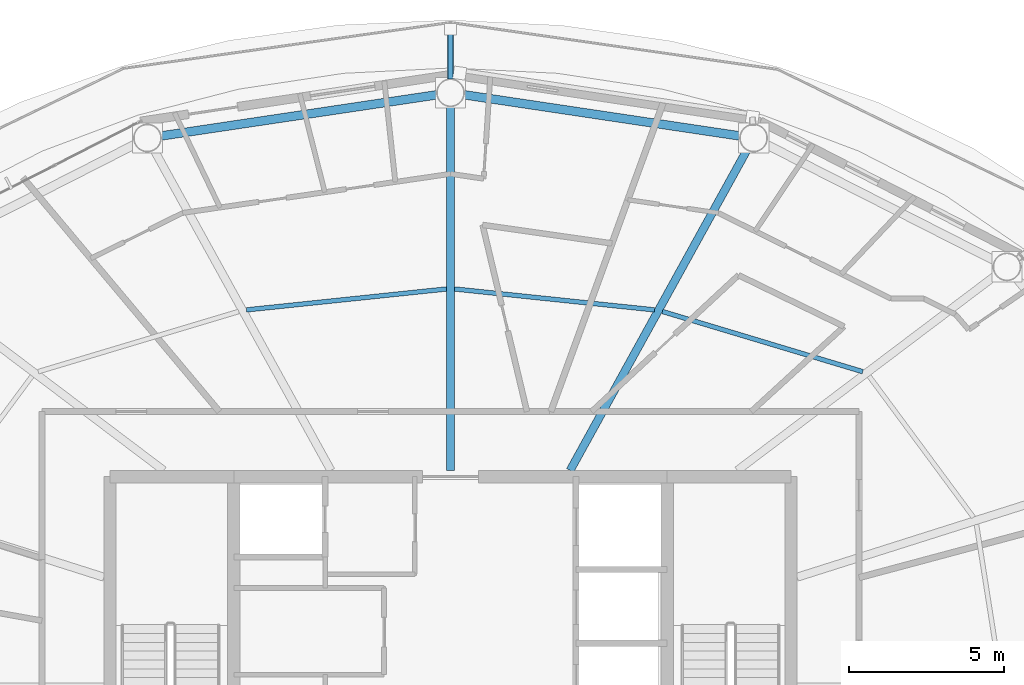
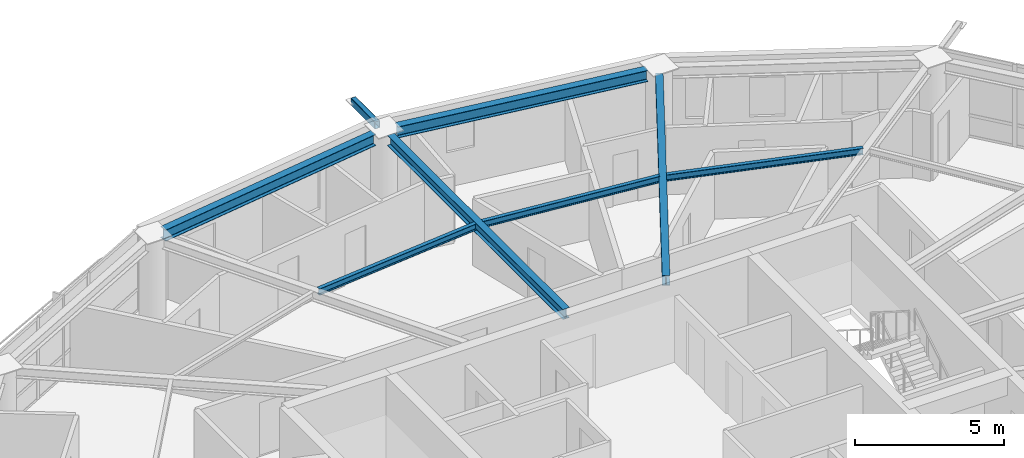
# One storey, part 10 of 23: 7 beams, 1 member.
"""IFC4 building model written with IfcOpenShell, lengths in metres."""

from ifc_helpers import new_model, si_unit, direction, frame, origin, origin_2d, place, context, subcontext, project, spatial, hollow_rectangle, i_section, extrude, material, material_profile, profile_set, type_object, element, save


model = new_model("IFC4")

# Units and contexts
model_context = context("Model", 3, precision=1e-05, world=origin(), true_north=direction((0.0, 1.0)))
body_context = subcontext(model_context, "Body", "Model", "MODEL_VIEW")
ifc_project = project(units=[si_unit("LENGTHUNIT", "METRE"), si_unit("AREAUNIT", "SQUARE_METRE"), si_unit("VOLUMEUNIT", "CUBIC_METRE"), si_unit("PLANEANGLEUNIT", "RADIAN"), si_unit("MASSUNIT", "GRAM", prefix="KILO")], contexts=[model_context])

# Site, building, storey
site_placement = place(None, origin())
site = spatial("IfcSite", under=ifc_project, at=site_placement, CompositionType="ELEMENT")
building_placement = place(site_placement, origin())
building = spatial("IfcBuilding", under=site, at=building_placement, Name="Sarneth Arch Tower", CompositionType="ELEMENT")
storey_placement = place(building_placement, frame((0.0, 0.0, 262.199951171875)))
storey = spatial("IfcBuildingStorey", under=building, at=storey_placement, Name="L67", CompositionType="ELEMENT", Elevation=262.199951171875)

# Beams
ifc_material_1 = material(Name="Steel S355", Category="steel")
ifc_material_profile_1 = material_profile(ifc_material_1, i_section(OverallWidth=0.14794921875, OverallDepth=0.26611328125, WebThickness=0.007568359375, FlangeThickness=0.012939453125, FilletRadius=0.012939453125, at=origin_2d()), Name="W250x44.8")
ifc_profile_set_1 = profile_set([ifc_material_profile_1], Name="Steel S355")
beam_type_1 = type_object("IfcBeamType", Name="BM-JOIST-250", PredefinedType="JOIST", material=ifc_profile_set_1)
beam_1_placement = place(storey_placement, frame((61.317626953125, 52.18994140625, 3.237060546875), z_axis=(-0.957726833296, 0.287679183787, 0.0), x_axis=(-0.287679183787, -0.957726833296, 0.0)))
element("IfcBeam", 1, at=beam_1_placement, inside=storey, type_object=beam_type_1, Name="L67 Secondary floor joist 03", PredefinedType="JOIST", context=body_context, shape_type="SweptSolid", body=[
    extrude(i_section(OverallWidth=0.14794921875, OverallDepth=0.26611328125, WebThickness=0.007568359375, FlangeThickness=0.012939453125, FilletRadius=0.012939453125, at=origin_2d()), origin(), (0.0, 0.0, 1.0), 6.760498046875),
])
for number, where, z_axis, x_axis, name in (
    (2, (54.589111328125, 54.185791015625, 3.237060546875), (-0.994572393972, 0.104046879569, 0.0), (-0.104046879569, -0.994572393972, 0.0), "L67 Secondary floor joist 04"),
    (3, (47.87060546875, 54.861572265625, 3.237060546875), (-0.994572393972, -0.104046879569, 0.0), (0.104046879569, -0.994572393972, 0.0), "L67 Secondary floor joist 05"),
):
    element("IfcBeam", number, at=place(storey_placement, frame(where, z_axis=z_axis, x_axis=x_axis)), inside=storey, type_object=beam_type_1, Name=name, PredefinedType="JOIST", context=body_context, shape_type="SweptSolid", body=[
        extrude(i_section(OverallWidth=0.14794921875, OverallDepth=0.26611328125, WebThickness=0.007568359375, FlangeThickness=0.012939453125, FilletRadius=0.012939453125, at=origin_2d()), origin(), (0.0, 0.0, 1.0), 6.494873046875),
    ])
ifc_material_2 = material(Name="Steel S355", Category="steel")
ifc_material_profile_2 = material_profile(ifc_material_2, i_section(OverallWidth=0.260009765625, OverallDepth=0.4150390625, WebThickness=0.010009765625, FlangeThickness=0.016845703125, FilletRadius=0.01611328125, at=origin_2d()), Name="W410x100")
ifc_profile_set_2 = profile_set([ifc_material_profile_2], Name="Steel S355")
beam_type_2 = type_object("IfcBeamType", Name="BM-RAD-410A", PredefinedType="BEAM", material=ifc_profile_set_2)
beam_2_placement = place(storey_placement, frame((51.86376953125, 49.0, 3.16259765625), z_axis=(0.483218265038, 0.875499919094, 0.0), x_axis=(-0.875499919094, 0.483218265038, 0.0)))
element("IfcBeam", 4, at=beam_2_placement, inside=storey, type_object=beam_type_2, Name="L67 Radial floor girder 04", PredefinedType="BEAM", context=body_context, shape_type="SweptSolid", body=[
    extrude(i_section(OverallWidth=0.260009765625, OverallDepth=0.4150390625, WebThickness=0.010009765625, FlangeThickness=0.016845703125, FilletRadius=0.01611328125, at=origin_2d()), origin(), (0.0, 0.0, 1.0), 11.8154296875),
])
beam_3_placement = place(storey_placement, frame((48.0, 49.0, 3.16259765625), z_axis=(0.0, 1.0, 0.0), x_axis=(-1.0, 0.0, 0.0)))
element("IfcBeam", 5, at=beam_3_placement, inside=storey, type_object=beam_type_2, Name="L67 Radial floor girder 05", PredefinedType="BEAM", context=body_context, shape_type="SweptSolid", body=[
    extrude(i_section(OverallWidth=0.260009765625, OverallDepth=0.4150390625, WebThickness=0.010009765625, FlangeThickness=0.016845703125, FilletRadius=0.01611328125, at=origin_2d()), origin(), (0.0, 0.0, 1.0), 11.75),
])
ifc_material_3 = material(Name="Steel S355", Category="steel")
ifc_material_profile_3 = material_profile(ifc_material_3, i_section(OverallWidth=0.280029296875, OverallDepth=0.462890625, WebThickness=0.0107421875, FlangeThickness=0.017333984375, FilletRadius=0.01806640625, at=origin_2d()), Name="W460x113")
ifc_profile_set_3 = profile_set([ifc_material_profile_3], Name="Steel S355")
beam_type_3 = type_object("IfcBeamType", Name="BM-RAD-460A", PredefinedType="BEAM", material=ifc_profile_set_3)
for number, where, z_axis, x_axis, name in (
    (6, (57.345703125, 59.804931640625, 3.138427734375), (-0.989041765772, 0.147635990052, 0.0), (-0.147635990052, -0.989041765772, 0.0), "L67 Perimeter spandrel beam 04"),
    (7, (47.554931640625, 61.133544921875, 3.138427734375), (-0.989041765772, -0.147635990052, 0.0), (0.147635990052, -0.989041765772, 0.0), "L67 Perimeter spandrel beam 05"),
):
    element("IfcBeam", number, at=place(storey_placement, frame(where, z_axis=z_axis, x_axis=x_axis)), inside=storey, type_object=beam_type_3, Name=name, PredefinedType="BEAM", context=body_context, shape_type="SweptSolid", body=[
        extrude(i_section(OverallWidth=0.280029296875, OverallDepth=0.462890625, WebThickness=0.0107421875, FlangeThickness=0.017333984375, FilletRadius=0.01806640625, at=origin_2d()), origin(), (0.0, 0.0, 1.0), 8.999267578125),
    ])

# Member
ifc_material_4 = material(Name="Steel S355", Category="steel")
ifc_material_profile_4 = material_profile(ifc_material_4, hollow_rectangle(XDim=0.199951171875, YDim=0.300048828125, WallThickness=0.012451171875, InnerFilletRadius=0.018798828125, OuterFilletRadius=0.03125, at=origin_2d()), Name="RHS300x200x12.5")
ifc_profile_set_4 = profile_set([ifc_material_profile_4], Name="Steel S355")
member_type = type_object("IfcMemberType", Name="MEM-CANT-STRUT", PredefinedType="STRUT", material=ifc_profile_set_4)
member_placement = place(storey_placement, frame((48.0, 61.64990234375, 3.2099609375), z_axis=(0.0, 1.0, 0.0), x_axis=(-1.0, 0.0, 0.0)))
element("IfcMember", 8, at=member_placement, inside=storey, type_object=member_type, Name="L67 Balcony cantilever bracket 05", PredefinedType="STRUT", context=body_context, shape_type="SweptSolid", body=[
    extrude(hollow_rectangle(XDim=0.199951171875, YDim=0.300048828125, WallThickness=0.012451171875, InnerFilletRadius=0.018798828125, OuterFilletRadius=0.03125, at=origin_2d()), origin(), (0.0, 0.0, 1.0), 1.6015625),
])

save(model, "model.ifc")
